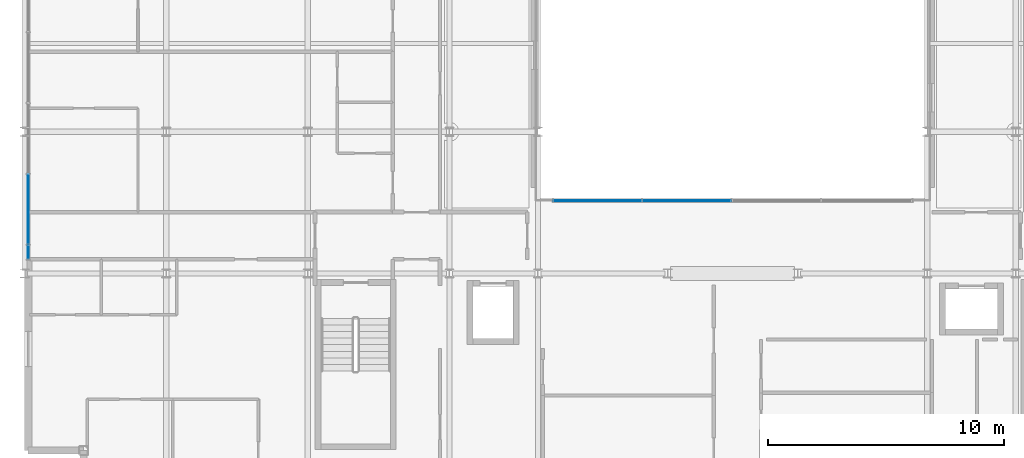
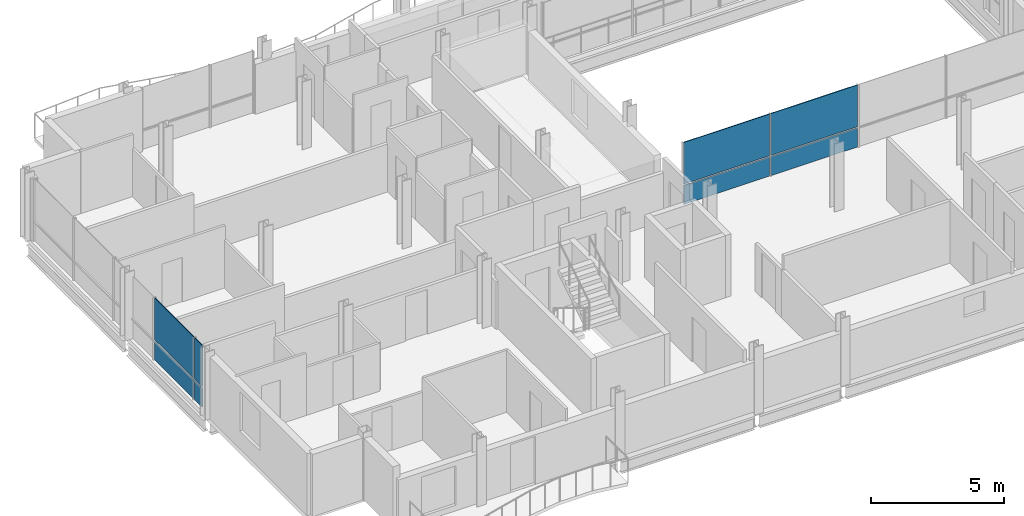
# One storey, part 25 of 36: 8 plates, 2 elements without a shape of their own.
"""IFC4 building model written with IfcOpenShell, lengths in metres."""

from ifc_helpers import new_model, si_unit, direction, frame, origin, origin_2d, place, context, subcontext, project, spatial, rectangle, extrude, material, layer, layer_set, type_object, element, aggregate, save


model = new_model("IFC4")

# Units and contexts
model_context = context("Model", 3, precision=1e-05, world=origin(), true_north=direction((0.0, 1.0)))
body_context = subcontext(model_context, "Body", "Model", "MODEL_VIEW")
ifc_project = project(units=[si_unit("LENGTHUNIT", "METRE"), si_unit("AREAUNIT", "SQUARE_METRE"), si_unit("VOLUMEUNIT", "CUBIC_METRE"), si_unit("PLANEANGLEUNIT", "RADIAN"), si_unit("MASSUNIT", "GRAM", prefix="KILO")], contexts=[model_context])

# Site, building, storey
site_placement = place(None, origin())
site = spatial("IfcSite", under=ifc_project, at=site_placement, CompositionType="ELEMENT")
building_placement = place(site_placement, origin())
building = spatial("IfcBuilding", under=site, at=building_placement, Name="Brevholm Reach", CompositionType="ELEMENT")
storey_placement = place(building_placement, frame((0.0, 0.0, 175.89990234375)))
storey = spatial("IfcBuildingStorey", under=building, at=storey_placement, Name="L53", CompositionType="ELEMENT", Elevation=175.89990234375)

# Curtain wall, plates
ifc_material_1 = material(Name="Dark Anodised Aluminium 6063-T6 and Solar-Control Glass", Category="aluminium")
ifc_layer_1 = layer(ifc_material_1, 0.14990234375)
ifc_layer_set_1 = layer_set([ifc_layer_1], Name="Dark Anodised Aluminium 6063-T6 and Solar-Control Glass")
curtain_wall_type_1 = type_object("IfcCurtainWallType", Name="CW-01", PredefinedType="NOTDEFINED", material=ifc_layer_set_1)
curtain_wall_1_placement = place(storey_placement, origin())
curtain_wall_1 = element("IfcCurtainWall", 1, at=curtain_wall_1_placement, inside=storey, type_object=curtain_wall_type_1, Name="L53 Curtain Wall CW-01", PredefinedType="NOTDEFINED")
ifc_material_2 = material(Name="Dark Solar-Control Double-Glazed IGU Glass", Category="glass")
ifc_layer_2 = layer(ifc_material_2, 0.028076171875)
ifc_layer_set_2 = layer_set([ifc_layer_2], Name="Dark Solar-Control Double-Glazed IGU Glass")
plate_type_1 = type_object("IfcPlateType", Name="CWP-GLZ-28", PredefinedType="CURTAIN_PANEL", material=ifc_layer_set_2)
plate_1_placement = place(storey_placement, frame((0.14990234375, 12.719970703125, 0.0), z_axis=(0.0, 0.0, 1.0), x_axis=(0.0, -1.0, 0.0)))
plate_1 = element("IfcPlate", 2, at=plate_1_placement, type_object=plate_type_1, Name="CP-01 Glazing Panel 4.1", PredefinedType="CURTAIN_PANEL", context=body_context, shape_type="SweptSolid", body=[
    extrude(rectangle(XDim=2.93505859375, YDim=0.028076171875, at=origin_2d()), origin(), (0.0, 0.0, 1.0), 0.867431640625),
])
plate_2_placement = place(storey_placement, frame((0.14990234375, 12.719970703125, 0.9326171875), z_axis=(0.0, 0.0, 1.0), x_axis=(0.0, -1.0, 0.0)))
plate_2 = element("IfcPlate", 3, at=plate_2_placement, type_object=plate_type_1, Name="CP-01 Glazing Panel 4.2", PredefinedType="CURTAIN_PANEL", context=body_context, shape_type="SweptSolid", body=[
    extrude(rectangle(XDim=2.93505859375, YDim=0.028076171875, at=origin_2d()), origin(), (0.0, 0.0, 1.0), 1.907470703125),
])
plate_3_placement = place(storey_placement, frame((0.14990234375, 10.9013671875, 0.0), z_axis=(0.0, 0.0, 1.0), x_axis=(0.0, -1.0, 0.0)))
plate_3 = element("IfcPlate", 4, at=plate_3_placement, type_object=plate_type_1, Name="CP-01 Glazing Panel 5.1", PredefinedType="CURTAIN_PANEL", context=body_context, shape_type="SweptSolid", body=[
    extrude(rectangle(XDim=0.572509765625, YDim=0.028076171875, at=origin_2d()), origin(), (0.0, 0.0, 1.0), 0.867431640625),
])
plate_4_placement = place(storey_placement, frame((0.14990234375, 10.9013671875, 0.9326171875), z_axis=(0.0, 0.0, 1.0), x_axis=(0.0, -1.0, 0.0)))
plate_4 = element("IfcPlate", 5, at=plate_4_placement, type_object=plate_type_1, Name="CP-01 Glazing Panel 5.2", PredefinedType="CURTAIN_PANEL", context=body_context, shape_type="SweptSolid", body=[
    extrude(rectangle(XDim=0.572509765625, YDim=0.028076171875, at=origin_2d()), origin(), (0.0, 0.0, 1.0), 1.907470703125),
])
aggregate(curtain_wall_1, [plate_1, plate_2, plate_3, plate_4])

ifc_material_3 = material(Name="Dark Anodised Aluminium 6063-T6 and Solar-Control Glass", Category="aluminium")
ifc_layer_3 = layer(ifc_material_3, 0.139892578125)
ifc_layer_set_3 = layer_set([ifc_layer_3], Name="Dark Anodised Aluminium 6063-T6 and Solar-Control Glass")
curtain_wall_type_2 = type_object("IfcCurtainWallType", Name="CW-02", PredefinedType="NOTDEFINED", material=ifc_layer_set_3)
curtain_wall_2_placement = place(storey_placement, origin())
curtain_wall_2 = element("IfcCurtainWall", 6, at=curtain_wall_2_placement, inside=storey, type_object=curtain_wall_type_2, Name="L53 Curtain Wall CW-02", PredefinedType="NOTDEFINED")
ifc_material_4 = material(Name="Low-Iron Laminated Acoustic Glass", Category="glass")
ifc_layer_4 = layer(ifc_material_4, 0.035888671875)
ifc_layer_set_4 = layer_set([ifc_layer_4], Name="Low-Iron Laminated Acoustic Glass")
plate_type_2 = type_object("IfcPlateType", Name="CWP-GLZ-36", PredefinedType="CURTAIN_PANEL", material=ifc_layer_set_4)
plate_5_placement = place(storey_placement, frame((24.264892578125, 13.080078125, 0.0), z_axis=(0.0, 0.0, 1.0), x_axis=(1.0, 0.0, 0.0)))
plate_5 = element("IfcPlate", 7, at=plate_5_placement, type_object=plate_type_2, Name="CP-02 Glazing Panel 1.1", PredefinedType="CURTAIN_PANEL", context=body_context, shape_type="SweptSolid", body=[
    extrude(rectangle(XDim=3.7099609375, YDim=0.035888671875, at=origin_2d()), origin(), (0.0, 0.0, 1.0), 0.8701171875),
])
plate_6_placement = place(storey_placement, frame((24.264892578125, 13.080078125, 0.93017578125), z_axis=(0.0, 0.0, 1.0), x_axis=(1.0, 0.0, 0.0)))
plate_6 = element("IfcPlate", 8, at=plate_6_placement, type_object=plate_type_2, Name="CP-02 Glazing Panel 1.2", PredefinedType="CURTAIN_PANEL", context=body_context, shape_type="SweptSolid", body=[
    extrude(rectangle(XDim=3.7099609375, YDim=0.035888671875, at=origin_2d()), origin(), (0.0, 0.0, 1.0), 1.909912109375),
])
plate_7_placement = place(storey_placement, frame((28.050048828125, 13.080078125, 0.0), z_axis=(0.0, 0.0, 1.0), x_axis=(1.0, 0.0, 0.0)))
plate_7 = element("IfcPlate", 9, at=plate_7_placement, type_object=plate_type_2, Name="CP-02 Glazing Panel 2.1", PredefinedType="CURTAIN_PANEL", context=body_context, shape_type="SweptSolid", body=[
    extrude(rectangle(XDim=3.739990234375, YDim=0.035888671875, at=origin_2d()), origin(), (0.0, 0.0, 1.0), 0.8701171875),
])
plate_8_placement = place(storey_placement, frame((28.050048828125, 13.080078125, 0.93017578125), z_axis=(0.0, 0.0, 1.0), x_axis=(1.0, 0.0, 0.0)))
plate_8 = element("IfcPlate", 10, at=plate_8_placement, type_object=plate_type_2, Name="CP-02 Glazing Panel 2.2", PredefinedType="CURTAIN_PANEL", context=body_context, shape_type="SweptSolid", body=[
    extrude(rectangle(XDim=3.739990234375, YDim=0.035888671875, at=origin_2d()), origin(), (0.0, 0.0, 1.0), 1.909912109375),
])
aggregate(curtain_wall_2, [plate_5, plate_6, plate_7, plate_8])

save(model, "model.ifc")
